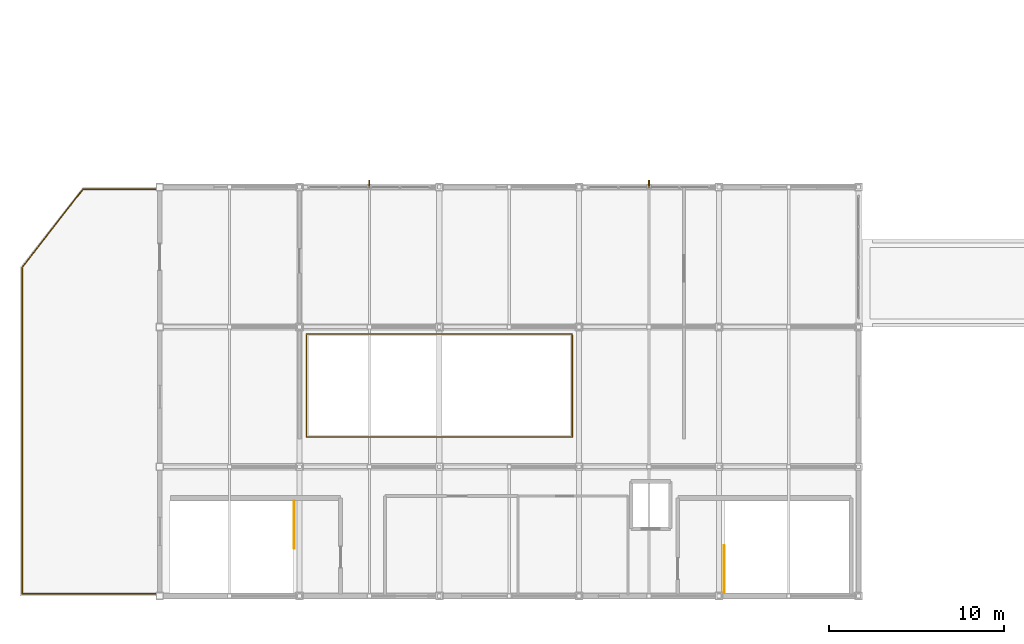
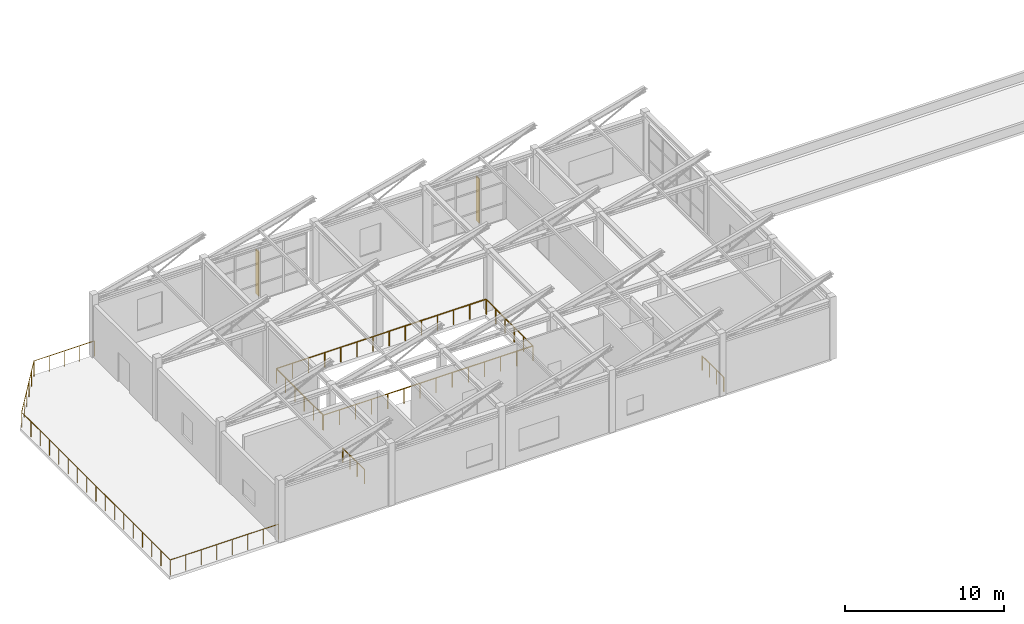
# One storey, part 55 of 63: 5 railings, 2 shading devices.
"""IFC4 building model written with IfcOpenShell, lengths in metres."""

from ifc_helpers import new_model, si_unit, direction, frame, origin, origin_2d, place, context, subcontext, project, spatial, rectangle, circle, extrude, material, type_object, element, save


model = new_model("IFC4")

# Units and contexts
model_context = context("Model", 3, precision=1e-05, world=origin(), true_north=direction((0.0, 1.0)))
body_context = subcontext(model_context, "Body", "Model", "MODEL_VIEW")
ifc_project = project(units=[si_unit("LENGTHUNIT", "METRE"), si_unit("AREAUNIT", "SQUARE_METRE"), si_unit("VOLUMEUNIT", "CUBIC_METRE"), si_unit("PLANEANGLEUNIT", "RADIAN"), si_unit("MASSUNIT", "GRAM", prefix="KILO")], contexts=[model_context])

# Site, building, storey
site_placement = place(None, origin())
site = spatial("IfcSite", under=ifc_project, at=site_placement, CompositionType="ELEMENT")
building_placement = place(site_placement, origin())
building = spatial("IfcBuilding", under=site, at=building_placement, Name="Canggui Botanical Conservatory", CompositionType="ELEMENT")
storey_placement = place(building_placement, frame((0.0, 0.0, 10.199951171875)))
storey = spatial("IfcBuildingStorey", under=building, at=storey_placement, Name="L03", CompositionType="ELEMENT", Elevation=10.199951171875)

# Railings
ifc_material_1 = material(Name="Stainless Steel 304", Category="steel")
railing_type_1 = type_object("IfcRailingType", Name="RAIL-GUARD-1100", PredefinedType="BALUSTRADE", material=ifc_material_1)
railing_1_placement = place(storey_placement, frame((58.300048828125, 10.780029296875, 0.0)))
element("IfcRailing", 1, at=railing_1_placement, inside=storey, type_object=railing_type_1, Name="L03 ST-V1 top well guard 1", PredefinedType="BALUSTRADE", context=body_context, shape_type="SweptSolid", body=[
    extrude(circle(Radius=0.02392578125, at=origin_2d()), frame((0.0, 0.0, 1.076171875), z_axis=(0.0, 1.0, 0.0), x_axis=(-1.0, 0.0, 0.0)), (0.0, 0.0, 1.0), 2.7099609375),
    extrude(circle(Radius=0.02099609375, at=origin_2d()), origin(), (0.0, 0.0, 1.0), 1.052001953125),
    extrude(circle(Radius=0.02099609375, at=origin_2d()), frame((0.0, 0.9033203125, 0.0)), (0.0, 0.0, 1.0), 1.052001953125),
    extrude(circle(Radius=0.02099609375, at=origin_2d()), frame((0.0, 1.806640625, 0.0)), (0.0, 0.0, 1.0), 1.052001953125),
    extrude(circle(Radius=0.02099609375, at=origin_2d()), frame((0.0, 2.7099609375, 0.0)), (0.0, 0.0, 1.0), 1.052001953125),
])
railing_2_placement = place(storey_placement, frame((33.699951171875, 16.0400390625, 0.0)))
element("IfcRailing", 2, at=railing_2_placement, inside=storey, type_object=railing_type_1, Name="L03 ST-V2 top well guard 1", PredefinedType="BALUSTRADE", context=body_context, shape_type="SweptSolid", body=[
    extrude(circle(Radius=0.02392578125, at=origin_2d()), frame((0.0, 0.0, 1.076171875), z_axis=(0.0, -1.0, 0.0), x_axis=(1.0, 0.0, 0.0)), (0.0, 0.0, 1.0), 2.7099609375),
    extrude(circle(Radius=0.02099609375, at=origin_2d()), origin(), (0.0, 0.0, 1.0), 1.052001953125),
    extrude(circle(Radius=0.02099609375, at=origin_2d()), frame((0.0, -0.9033203125, 0.0)), (0.0, 0.0, 1.0), 1.052001953125),
    extrude(circle(Radius=0.02099609375, at=origin_2d()), frame((0.0, -1.806640625, 0.0)), (0.0, 0.0, 1.0), 1.052001953125),
    extrude(circle(Radius=0.02099609375, at=origin_2d()), frame((0.0, -2.7099609375, 0.0)), (0.0, 0.0, 1.0), 1.052001953125),
])
ifc_material_2 = material(Name="Laminated Safety Glass", Category="glass")
railing_type_2 = type_object("IfcRailingType", Name="RAIL-TERR-1200", PredefinedType="BALUSTRADE", material=ifc_material_2)
railing_3_placement = place(storey_placement, frame((25.989990234375, 10.719970703125, 0.0)))
element("IfcRailing", 3, at=railing_3_placement, inside=storey, type_object=railing_type_2, Name="Visitor Terrace Balustrade L03", PredefinedType="BALUSTRADE", context=body_context, shape_type="SweptSolid", body=[
    extrude(circle(Radius=0.02392578125, at=origin_2d()), frame((0.0, 0.0, 1.17578125), z_axis=(-1.0, 0.0, 0.0), x_axis=(0.0, -1.0, 0.0)), (0.0, 0.0, 1.0), 7.869873046875),
    extrude(circle(Radius=0.02392578125, at=origin_2d()), frame((-7.869873046875, 0.0, 1.17578125), z_axis=(0.0, 1.0, 0.0), x_axis=(-1.0, 0.0, 0.0)), (0.0, 0.0, 1.0), 18.679931640625),
    extrude(circle(Radius=0.02392578125, at=origin_2d()), frame((-7.869873046875, 18.679931640625, 1.17578125), z_axis=(0.613451858445, 0.789732117474, 0.0), x_axis=(-0.789732117474, 0.613451858445, 0.0)), (0.0, 0.0, 1.0), 5.6728515625),
    extrude(circle(Radius=0.02392578125, at=origin_2d()), frame((-4.389892578125, 23.159912109375, 1.17578125), z_axis=(1.0, 0.0, 0.0), x_axis=(0.0, 1.0, 0.0)), (0.0, 0.0, 1.0), 4.389892578125),
    extrude(circle(Radius=0.02099609375, at=origin_2d()), origin(), (0.0, 0.0, 1.0), 1.15185546875),
    extrude(circle(Radius=0.02099609375, at=origin_2d()), frame((-1.124267578125, 0.0, 0.0)), (0.0, 0.0, 1.0), 1.15185546875),
    extrude(circle(Radius=0.02099609375, at=origin_2d()), frame((-2.24853515625, 0.0, 0.0)), (0.0, 0.0, 1.0), 1.15185546875),
    extrude(circle(Radius=0.02099609375, at=origin_2d()), frame((-3.372802734375, 0.0, 0.0)), (0.0, 0.0, 1.0), 1.15185546875),
    extrude(circle(Radius=0.02099609375, at=origin_2d()), frame((-4.4970703125, 0.0, 0.0)), (0.0, 0.0, 1.0), 1.15185546875),
    extrude(circle(Radius=0.02099609375, at=origin_2d()), frame((-5.621337890625, 0.0, 0.0)), (0.0, 0.0, 1.0), 1.15185546875),
    extrude(circle(Radius=0.02099609375, at=origin_2d()), frame((-6.74560546875, 0.0, 0.0)), (0.0, 0.0, 1.0), 1.15185546875),
    extrude(circle(Radius=0.02099609375, at=origin_2d()), frame((-7.869873046875, 0.0, 0.0)), (0.0, 0.0, 1.0), 1.15185546875),
    extrude(circle(Radius=0.02099609375, at=origin_2d()), frame((-7.869873046875, 1.16748046875, 0.0)), (0.0, 0.0, 1.0), 1.15185546875),
    extrude(circle(Radius=0.02099609375, at=origin_2d()), frame((-7.869873046875, 2.3349609375, 0.0)), (0.0, 0.0, 1.0), 1.15185546875),
    extrude(circle(Radius=0.02099609375, at=origin_2d()), frame((-7.869873046875, 3.50244140625, 0.0)), (0.0, 0.0, 1.0), 1.15185546875),
    extrude(circle(Radius=0.02099609375, at=origin_2d()), frame((-7.869873046875, 4.669921875, 0.0)), (0.0, 0.0, 1.0), 1.15185546875),
    extrude(circle(Radius=0.02099609375, at=origin_2d()), frame((-7.869873046875, 5.83740234375, 0.0)), (0.0, 0.0, 1.0), 1.15185546875),
    extrude(circle(Radius=0.02099609375, at=origin_2d()), frame((-7.869873046875, 7.0048828125, 0.0)), (0.0, 0.0, 1.0), 1.15185546875),
    extrude(circle(Radius=0.02099609375, at=origin_2d()), frame((-7.869873046875, 8.17236328125, 0.0)), (0.0, 0.0, 1.0), 1.15185546875),
    extrude(circle(Radius=0.02099609375, at=origin_2d()), frame((-7.869873046875, 9.33984375, 0.0)), (0.0, 0.0, 1.0), 1.15185546875),
    extrude(circle(Radius=0.02099609375, at=origin_2d()), frame((-7.869873046875, 10.507568359375, 0.0)), (0.0, 0.0, 1.0), 1.15185546875),
    extrude(circle(Radius=0.02099609375, at=origin_2d()), frame((-7.869873046875, 11.675048828125, 0.0)), (0.0, 0.0, 1.0), 1.15185546875),
    extrude(circle(Radius=0.02099609375, at=origin_2d()), frame((-7.869873046875, 12.842529296875, 0.0)), (0.0, 0.0, 1.0), 1.15185546875),
    extrude(circle(Radius=0.02099609375, at=origin_2d()), frame((-7.869873046875, 14.010009765625, 0.0)), (0.0, 0.0, 1.0), 1.15185546875),
    extrude(circle(Radius=0.02099609375, at=origin_2d()), frame((-7.869873046875, 15.177490234375, 0.0)), (0.0, 0.0, 1.0), 1.15185546875),
    extrude(circle(Radius=0.02099609375, at=origin_2d()), frame((-7.869873046875, 16.344970703125, 0.0)), (0.0, 0.0, 1.0), 1.15185546875),
    extrude(circle(Radius=0.02099609375, at=origin_2d()), frame((-7.869873046875, 17.512451171875, 0.0)), (0.0, 0.0, 1.0), 1.15185546875),
    extrude(circle(Radius=0.02099609375, at=origin_2d()), frame((-7.869873046875, 18.679931640625, 0.0)), (0.0, 0.0, 1.0), 1.15185546875),
    extrude(circle(Radius=0.02099609375, at=origin_2d()), frame((-7.173828125, 19.575927734375, 0.0)), (0.0, 0.0, 1.0), 1.15185546875),
    extrude(circle(Radius=0.02099609375, at=origin_2d()), frame((-6.477783203125, 20.471923828125, 0.0)), (0.0, 0.0, 1.0), 1.15185546875),
    extrude(circle(Radius=0.02099609375, at=origin_2d()), frame((-5.781982421875, 21.367919921875, 0.0)), (0.0, 0.0, 1.0), 1.15185546875),
    extrude(circle(Radius=0.02099609375, at=origin_2d()), frame((-5.0859375, 22.263916015625, 0.0)), (0.0, 0.0, 1.0), 1.15185546875),
    extrude(circle(Radius=0.02099609375, at=origin_2d()), frame((-4.389892578125, 23.159912109375, 0.0)), (0.0, 0.0, 1.0), 1.15185546875),
    extrude(circle(Radius=0.02099609375, at=origin_2d()), frame((-3.29248046875, 23.159912109375, 0.0)), (0.0, 0.0, 1.0), 1.15185546875),
    extrude(circle(Radius=0.02099609375, at=origin_2d()), frame((-2.19482421875, 23.159912109375, 0.0)), (0.0, 0.0, 1.0), 1.15185546875),
    extrude(circle(Radius=0.02099609375, at=origin_2d()), frame((-1.097412109375, 23.159912109375, 0.0)), (0.0, 0.0, 1.0), 1.15185546875),
    extrude(circle(Radius=0.02099609375, at=origin_2d()), frame((0.0, 23.159912109375, 0.0)), (0.0, 0.0, 1.0), 1.15185546875),
])
railing_type_3 = type_object("IfcRailingType", Name="RAIL-VOID-1150", PredefinedType="BALUSTRADE", material=ifc_material_2)
railing_4_placement = place(storey_placement, frame((34.39990234375, 19.699951171875, 0.0)))
element("IfcRailing", 4, at=railing_4_placement, inside=storey, type_object=railing_type_3, Name="Visitor Atrium L03 Overlook Glass Balustrade Part A", PredefinedType="BALUSTRADE", context=body_context, shape_type="SweptSolid", body=[
    extrude(circle(Radius=0.02392578125, at=origin_2d()), frame((0.0, 0.0, 1.1259765625), z_axis=(1.0, 0.0, 0.0), x_axis=(0.0, 1.0, 0.0)), (0.0, 0.0, 1.0), 15.2001953125),
    extrude(circle(Radius=0.02392578125, at=origin_2d()), frame((15.2001953125, 0.0, 1.1259765625), z_axis=(0.0, 1.0, 0.0), x_axis=(-1.0, 0.0, 0.0)), (0.0, 0.0, 1.0), 5.8349609375),
    extrude(circle(Radius=0.02099609375, at=origin_2d()), origin(), (0.0, 0.0, 1.0), 1.101806640625),
    extrude(circle(Radius=0.02099609375, at=origin_2d()), frame((1.169189453125, 0.0, 0.0)), (0.0, 0.0, 1.0), 1.101806640625),
    extrude(circle(Radius=0.02099609375, at=origin_2d()), frame((2.33837890625, 0.0, 0.0)), (0.0, 0.0, 1.0), 1.101806640625),
    extrude(circle(Radius=0.02099609375, at=origin_2d()), frame((3.5078125, 0.0, 0.0)), (0.0, 0.0, 1.0), 1.101806640625),
    extrude(circle(Radius=0.02099609375, at=origin_2d()), frame((4.677001953125, 0.0, 0.0)), (0.0, 0.0, 1.0), 1.101806640625),
    extrude(circle(Radius=0.02099609375, at=origin_2d()), frame((5.84619140625, 0.0, 0.0)), (0.0, 0.0, 1.0), 1.101806640625),
    extrude(circle(Radius=0.02099609375, at=origin_2d()), frame((7.015380859375, 0.0, 0.0)), (0.0, 0.0, 1.0), 1.101806640625),
    extrude(circle(Radius=0.02099609375, at=origin_2d()), frame((8.184814453125, 0.0, 0.0)), (0.0, 0.0, 1.0), 1.101806640625),
    extrude(circle(Radius=0.02099609375, at=origin_2d()), frame((9.35400390625, 0.0, 0.0)), (0.0, 0.0, 1.0), 1.101806640625),
    extrude(circle(Radius=0.02099609375, at=origin_2d()), frame((10.523193359375, 0.0, 0.0)), (0.0, 0.0, 1.0), 1.101806640625),
    extrude(circle(Radius=0.02099609375, at=origin_2d()), frame((11.6923828125, 0.0, 0.0)), (0.0, 0.0, 1.0), 1.101806640625),
    extrude(circle(Radius=0.02099609375, at=origin_2d()), frame((12.86181640625, 0.0, 0.0)), (0.0, 0.0, 1.0), 1.101806640625),
    extrude(circle(Radius=0.02099609375, at=origin_2d()), frame((14.031005859375, 0.0, 0.0)), (0.0, 0.0, 1.0), 1.101806640625),
    extrude(circle(Radius=0.02099609375, at=origin_2d()), frame((15.2001953125, 0.0, 0.0)), (0.0, 0.0, 1.0), 1.101806640625),
    extrude(circle(Radius=0.02099609375, at=origin_2d()), frame((15.2001953125, 1.1669921875, 0.0)), (0.0, 0.0, 1.0), 1.101806640625),
    extrude(circle(Radius=0.02099609375, at=origin_2d()), frame((15.2001953125, 2.333984375, 0.0)), (0.0, 0.0, 1.0), 1.101806640625),
    extrude(circle(Radius=0.02099609375, at=origin_2d()), frame((15.2001953125, 3.5009765625, 0.0)), (0.0, 0.0, 1.0), 1.101806640625),
    extrude(circle(Radius=0.02099609375, at=origin_2d()), frame((15.2001953125, 4.66796875, 0.0)), (0.0, 0.0, 1.0), 1.101806640625),
    extrude(circle(Radius=0.02099609375, at=origin_2d()), frame((15.2001953125, 5.8349609375, 0.0)), (0.0, 0.0, 1.0), 1.101806640625),
])
railing_5_placement = place(storey_placement, frame((49.60009765625, 25.60009765625, 0.0)))
element("IfcRailing", 5, at=railing_5_placement, inside=storey, type_object=railing_type_3, Name="Visitor Atrium L03 Overlook Glass Balustrade Part B", PredefinedType="BALUSTRADE", context=body_context, shape_type="SweptSolid", body=[
    extrude(circle(Radius=0.02392578125, at=origin_2d()), frame((0.0, 0.0, 1.1259765625), z_axis=(-1.0, 0.0, 0.0), x_axis=(0.0, -1.0, 0.0)), (0.0, 0.0, 1.0), 15.2001953125),
    extrude(circle(Radius=0.02392578125, at=origin_2d()), frame((-15.2001953125, 0.0, 1.1259765625), z_axis=(0.0, -1.0, 0.0), x_axis=(1.0, 0.0, 0.0)), (0.0, 0.0, 1.0), 5.835205078125),
    extrude(circle(Radius=0.02099609375, at=origin_2d()), origin(), (0.0, 0.0, 1.0), 1.101806640625),
    extrude(circle(Radius=0.02099609375, at=origin_2d()), frame((-1.169189453125, 0.0, 0.0)), (0.0, 0.0, 1.0), 1.101806640625),
    extrude(circle(Radius=0.02099609375, at=origin_2d()), frame((-2.33837890625, 0.0, 0.0)), (0.0, 0.0, 1.0), 1.101806640625),
    extrude(circle(Radius=0.02099609375, at=origin_2d()), frame((-3.5078125, 0.0, 0.0)), (0.0, 0.0, 1.0), 1.101806640625),
    extrude(circle(Radius=0.02099609375, at=origin_2d()), frame((-4.677001953125, 0.0, 0.0)), (0.0, 0.0, 1.0), 1.101806640625),
    extrude(circle(Radius=0.02099609375, at=origin_2d()), frame((-5.84619140625, 0.0, 0.0)), (0.0, 0.0, 1.0), 1.101806640625),
    extrude(circle(Radius=0.02099609375, at=origin_2d()), frame((-7.015380859375, 0.0, 0.0)), (0.0, 0.0, 1.0), 1.101806640625),
    extrude(circle(Radius=0.02099609375, at=origin_2d()), frame((-8.184814453125, 0.0, 0.0)), (0.0, 0.0, 1.0), 1.101806640625),
    extrude(circle(Radius=0.02099609375, at=origin_2d()), frame((-9.35400390625, 0.0, 0.0)), (0.0, 0.0, 1.0), 1.101806640625),
    extrude(circle(Radius=0.02099609375, at=origin_2d()), frame((-10.523193359375, 0.0, 0.0)), (0.0, 0.0, 1.0), 1.101806640625),
    extrude(circle(Radius=0.02099609375, at=origin_2d()), frame((-11.6923828125, 0.0, 0.0)), (0.0, 0.0, 1.0), 1.101806640625),
    extrude(circle(Radius=0.02099609375, at=origin_2d()), frame((-12.86181640625, 0.0, 0.0)), (0.0, 0.0, 1.0), 1.101806640625),
    extrude(circle(Radius=0.02099609375, at=origin_2d()), frame((-14.031005859375, 0.0, 0.0)), (0.0, 0.0, 1.0), 1.101806640625),
    extrude(circle(Radius=0.02099609375, at=origin_2d()), frame((-15.2001953125, 0.0, 0.0)), (0.0, 0.0, 1.0), 1.101806640625),
    extrude(circle(Radius=0.02099609375, at=origin_2d()), frame((-15.2001953125, -1.1669921875, 0.0)), (0.0, 0.0, 1.0), 1.101806640625),
    extrude(circle(Radius=0.02099609375, at=origin_2d()), frame((-15.2001953125, -2.333984375, 0.0)), (0.0, 0.0, 1.0), 1.101806640625),
    extrude(circle(Radius=0.02099609375, at=origin_2d()), frame((-15.2001953125, -3.501220703125, 0.0)), (0.0, 0.0, 1.0), 1.101806640625),
    extrude(circle(Radius=0.02099609375, at=origin_2d()), frame((-15.2001953125, -4.668212890625, 0.0)), (0.0, 0.0, 1.0), 1.101806640625),
    extrude(circle(Radius=0.02099609375, at=origin_2d()), frame((-15.2001953125, -5.835205078125, 0.0)), (0.0, 0.0, 1.0), 1.101806640625),
])

# Shading devices
ifc_material_3 = material(Name="Anodised Aluminium", Category="aluminium")
shading_device_type = type_object("IfcShadingDeviceType", Name="SHD-FIN01", PredefinedType="AWNING", material=ifc_material_3)
for number, where, z_axis, x_axis, name in (
    (6, (38.0, 34.195068359375, 0.30517578125), (0.0, 0.0, 1.0), (1.0, 0.0, 0.0), "Solar Shading Fin CW-VIS-L03-10"),
    (7, (54.0, 34.195068359375, 0.30517578125), (0.0, 0.0, 1.0), (1.0, 0.0, 0.0), "Solar Shading Fin CW-VIS-L03-12"),
):
    element("IfcShadingDevice", number, at=place(storey_placement, frame(where, z_axis=z_axis, x_axis=x_axis)), inside=storey, type_object=shading_device_type, Name=name, PredefinedType="AWNING", context=body_context, shape_type="SweptSolid", body=[
        extrude(rectangle(XDim=0.06005859375, YDim=0.419921875, at=origin_2d()), origin(), (0.0, 0.0, 1.0), 3.39990234375),
    ])

save(model, "model.ifc")
